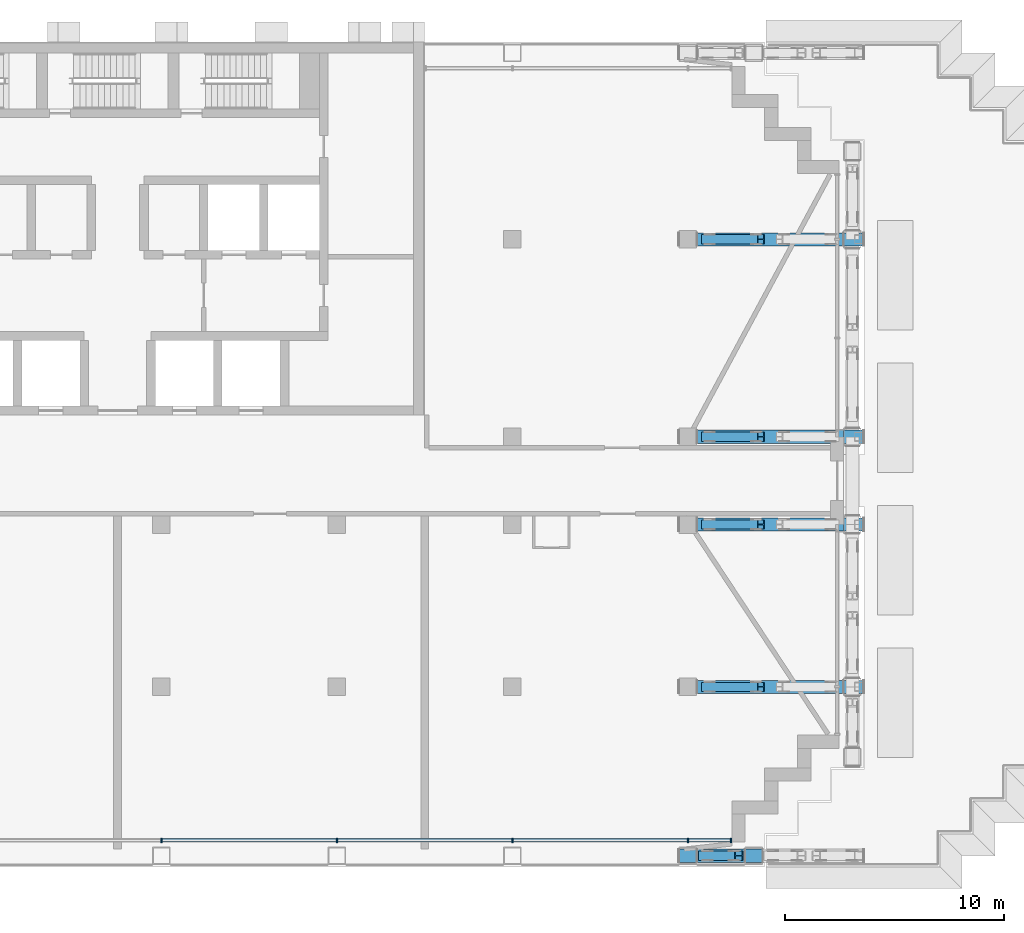
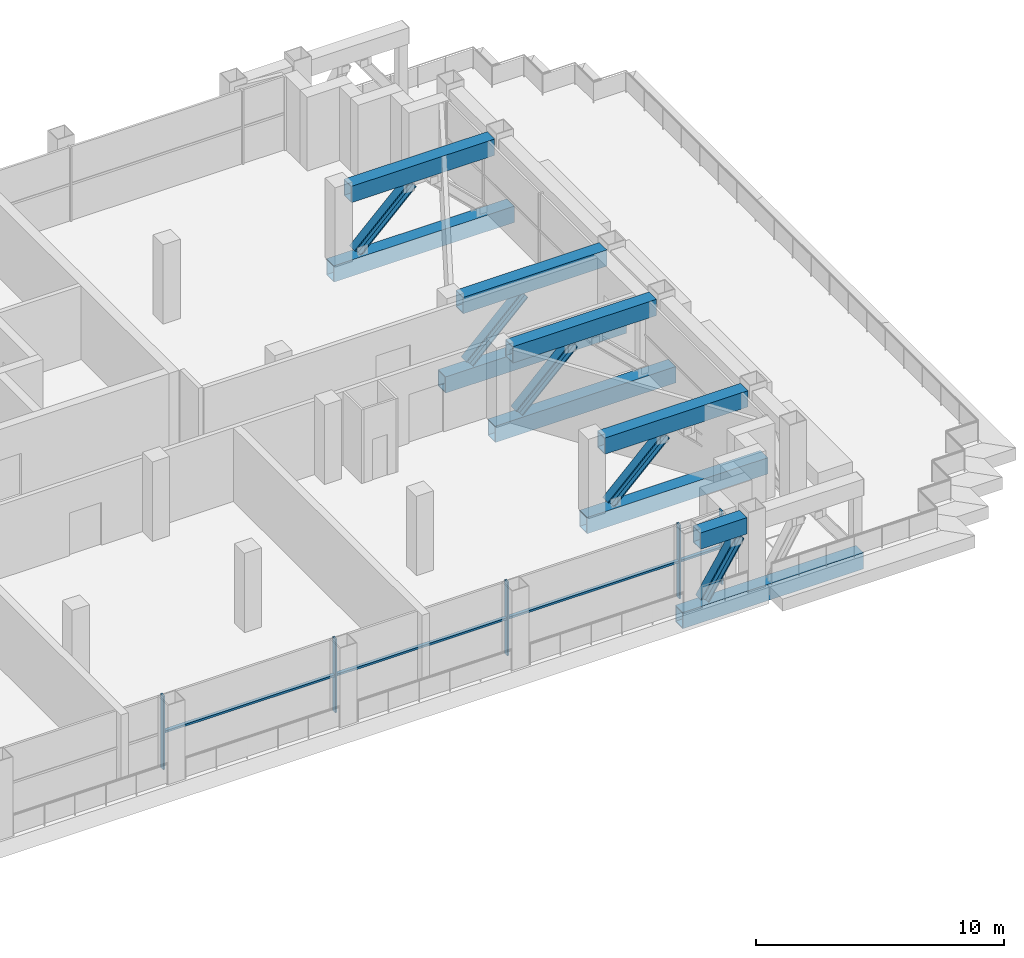
# One storey, part 4 of 25: 24 members, 1 element without a shape of its own.
"""IFC4 building model written with IfcOpenShell, lengths in metres."""

from ifc_helpers import new_model, si_unit, direction, frame, origin, origin_2d, place, context, subcontext, project, spatial, rectangle, hollow_rectangle, i_section, extrude, material, material_profile, profile_set, type_object, element, aggregate, save


model = new_model("IFC4")

# Units and contexts
model_context = context("Model", 3, precision=1e-05, world=origin(), true_north=direction((0.0, 1.0)))
body_context = subcontext(model_context, "Body", "Model", "MODEL_VIEW")
ifc_project = project(units=[si_unit("LENGTHUNIT", "METRE"), si_unit("AREAUNIT", "SQUARE_METRE"), si_unit("VOLUMEUNIT", "CUBIC_METRE"), si_unit("PLANEANGLEUNIT", "RADIAN"), si_unit("MASSUNIT", "GRAM", prefix="KILO")], contexts=[model_context])

# Site, building, storey
site_placement = place(None, origin())
site = spatial("IfcSite", under=ifc_project, at=site_placement, CompositionType="ELEMENT")
building_placement = place(site_placement, origin())
building = spatial("IfcBuilding", under=site, at=building_placement, Name="Vidyagriha Tower", CompositionType="ELEMENT")
storey_placement = place(building_placement, frame((0.0, 0.0, 115.89990234375)))
storey = spatial("IfcBuildingStorey", under=building, at=storey_placement, Name="L29", CompositionType="ELEMENT", Elevation=115.89990234375)

# Curtain wall, members
ifc_material_1 = material(Name="Aluminium and glass curtain wall", Category="aluminium")
curtain_wall_type = type_object("IfcCurtainWallType", Name="Plant louvre wall", PredefinedType="USERDEFINED", material=ifc_material_1)
curtain_wall_placement = place(storey_placement, origin())
curtain_wall = element("IfcCurtainWall", 1, at=curtain_wall_placement, inside=storey, type_object=curtain_wall_type, Name="CW7 plant louvre wall", ObjectType="STICK GLAZING", PredefinedType="USERDEFINED")
ifc_material_2 = material(Name="Aluminium black anodised", Category="aluminium")
ifc_material_profile_1 = material_profile(ifc_material_2, rectangle(XDim=0.219970703125, YDim=0.080078125, at=origin_2d()), Name="Mullion 80x220 black aluminium")
ifc_profile_set_1 = profile_set([ifc_material_profile_1], Name="Aluminium black anodised")
member_type_1 = type_object("IfcMemberType", Name="Mullion 80x220 black aluminium", PredefinedType="MULLION", material=ifc_profile_set_1)
member_1_placement = place(storey_placement, frame((2.0, -16.39990234375, 0.0), z_axis=(0.0, 0.0, 1.0), x_axis=(0.0, 1.0, 0.0)))
member_1 = element("IfcMember", 2, at=member_1_placement, type_object=member_type_1, Name="CW7 mullion 5", PredefinedType="MULLION", context=body_context, shape_type="SweptSolid", body=[
    extrude(rectangle(XDim=0.219970703125, YDim=0.080078125, at=origin_2d()), origin(), (0.0, 0.0, 1.0), 3.6201171875),
])
member_2_placement = place(storey_placement, frame((10.0, -16.39990234375, 0.0), z_axis=(0.0, 0.0, 1.0), x_axis=(0.0, 1.0, 0.0)))
member_2 = element("IfcMember", 3, at=member_2_placement, type_object=member_type_1, Name="CW7 mullion 6", PredefinedType="MULLION", context=body_context, shape_type="SweptSolid", body=[
    extrude(rectangle(XDim=0.219970703125, YDim=0.080078125, at=origin_2d()), origin(), (0.0, 0.0, 1.0), 3.6201171875),
])
member_3_placement = place(storey_placement, frame((18.0, -16.39990234375, 0.0), z_axis=(0.0, 0.0, 1.0), x_axis=(0.0, 1.0, 0.0)))
member_3 = element("IfcMember", 4, at=member_3_placement, type_object=member_type_1, Name="CW7 mullion 7", PredefinedType="MULLION", context=body_context, shape_type="SweptSolid", body=[
    extrude(rectangle(XDim=0.219970703125, YDim=0.080078125, at=origin_2d()), origin(), (0.0, 0.0, 1.0), 3.6201171875),
])
member_4_placement = place(storey_placement, frame((26.0, -16.39990234375, 0.0), z_axis=(0.0, 0.0, 1.0), x_axis=(0.0, 1.0, 0.0)))
member_4 = element("IfcMember", 5, at=member_4_placement, type_object=member_type_1, Name="CW7 mullion 8", PredefinedType="MULLION", context=body_context, shape_type="SweptSolid", body=[
    extrude(rectangle(XDim=0.219970703125, YDim=0.080078125, at=origin_2d()), origin(), (0.0, 0.0, 1.0), 3.6201171875),
])
member_5_placement = place(storey_placement, frame((27.9599609375, -16.39990234375, 0.0), z_axis=(0.0, 0.0, 1.0), x_axis=(0.0, 1.0, 0.0)))
member_5 = element("IfcMember", 6, at=member_5_placement, type_object=member_type_1, Name="CW7 mullion 9", PredefinedType="MULLION", context=body_context, shape_type="SweptSolid", body=[
    extrude(rectangle(XDim=0.219970703125, YDim=0.080078125, at=origin_2d()), origin(), (0.0, 0.0, 1.0), 3.6201171875),
])

# Members
ifc_material_3 = material(Name="Steel ASTM A572 Grade 50", Category="steel")
ifc_material_profile_2 = material_profile(ifc_material_3, hollow_rectangle(XDim=0.60009765625, YDim=0.800048828125, WallThickness=0.034912109375, at=origin_2d()), Name="BOX 800x600x35")
ifc_profile_set_2 = profile_set([ifc_material_profile_2], Name="Steel ASTM A572 Grade 50")
member_type_2 = type_object("IfcMemberType", Name="Transfer truss chord BOX 800x600x35", PredefinedType="CHORD", material=ifc_profile_set_2)
member_6_placement = place(storey_placement, frame((25.60009765625, -17.10009765625, -0.39990234375), z_axis=(1.0, 0.0, 0.0), x_axis=(0.0, 1.0, 0.0)))
element("IfcMember", 7, at=member_6_placement, inside=storey, type_object=member_type_2, Name="st-truss-L29-T00-B00", PredefinedType="CHORD", context=body_context, shape_type="SweptSolid", body=[
    extrude(hollow_rectangle(XDim=0.60009765625, YDim=0.800048828125, WallThickness=0.034912109375, at=origin_2d()), origin(), (0.0, 0.0, 1.0), 8.39990234375),
])
member_7_placement = place(storey_placement, frame((26.41943359375, -17.10009765625, 3.22021484375), z_axis=(1.0, 0.0, 0.0), x_axis=(0.0, 1.0, 0.0)))
element("IfcMember", 8, at=member_7_placement, inside=storey, type_object=member_type_2, Name="st-truss-L29-T00-T00", PredefinedType="CHORD", context=body_context, shape_type="SweptSolid", body=[
    extrude(hollow_rectangle(XDim=0.60009765625, YDim=0.800048828125, WallThickness=0.034912109375, at=origin_2d()), origin(), (0.0, 0.0, 1.0), 2.1611328125),
])
member_8_placement = place(storey_placement, frame((25.60009765625, -9.39990234375, -0.39990234375), z_axis=(1.0, 0.0, 0.0), x_axis=(0.0, 1.0, 0.0)))
element("IfcMember", 9, at=member_8_placement, inside=storey, type_object=member_type_2, Name="st-truss-L29-T02-B00", PredefinedType="CHORD", context=body_context, shape_type="SweptSolid", body=[
    extrude(hollow_rectangle(XDim=0.60009765625, YDim=0.800048828125, WallThickness=0.034912109375, at=origin_2d()), origin(), (0.0, 0.0, 1.0), 8.39990234375),
])
member_9_placement = place(storey_placement, frame((26.41943359375, -9.39990234375, 3.22021484375), z_axis=(1.0, 0.0, 0.0), x_axis=(0.0, 1.0, 0.0)))
element("IfcMember", 10, at=member_9_placement, inside=storey, type_object=member_type_2, Name="st-truss-L29-T02-T00", PredefinedType="CHORD", context=body_context, shape_type="SweptSolid", body=[
    extrude(hollow_rectangle(XDim=0.60009765625, YDim=0.800048828125, WallThickness=0.034912109375, at=origin_2d()), origin(), (0.0, 0.0, 1.0), 6.6611328125),
])
member_10_placement = place(storey_placement, frame((25.60009765625, -2.0, -0.39990234375), z_axis=(1.0, 0.0, 0.0), x_axis=(0.0, 1.0, 0.0)))
element("IfcMember", 11, at=member_10_placement, inside=storey, type_object=member_type_2, Name="st-truss-L29-T04-B00", PredefinedType="CHORD", context=body_context, shape_type="SweptSolid", body=[
    extrude(hollow_rectangle(XDim=0.60009765625, YDim=0.800048828125, WallThickness=0.034912109375, at=origin_2d()), origin(), (0.0, 0.0, 1.0), 8.39990234375),
])
member_11_placement = place(storey_placement, frame((26.41943359375, -2.0, 3.22021484375), z_axis=(1.0, 0.0, 0.0), x_axis=(0.0, 1.0, 0.0)))
element("IfcMember", 12, at=member_11_placement, inside=storey, type_object=member_type_2, Name="st-truss-L29-T04-T00", PredefinedType="CHORD", context=body_context, shape_type="SweptSolid", body=[
    extrude(hollow_rectangle(XDim=0.60009765625, YDim=0.800048828125, WallThickness=0.034912109375, at=origin_2d()), origin(), (0.0, 0.0, 1.0), 6.6806640625),
])
member_12_placement = place(storey_placement, frame((25.60009765625, 2.0, -0.39990234375), z_axis=(1.0, 0.0, 0.0), x_axis=(0.0, 1.0, 0.0)))
element("IfcMember", 13, at=member_12_placement, inside=storey, type_object=member_type_2, Name="st-truss-L29-T06-B00", PredefinedType="CHORD", context=body_context, shape_type="SweptSolid", body=[
    extrude(hollow_rectangle(XDim=0.60009765625, YDim=0.800048828125, WallThickness=0.034912109375, at=origin_2d()), origin(), (0.0, 0.0, 1.0), 8.39990234375),
])
member_13_placement = place(storey_placement, frame((26.41943359375, 2.0, 3.22021484375), z_axis=(1.0, 0.0, 0.0), x_axis=(0.0, 1.0, 0.0)))
element("IfcMember", 14, at=member_13_placement, inside=storey, type_object=member_type_2, Name="st-truss-L29-T06-T00", PredefinedType="CHORD", context=body_context, shape_type="SweptSolid", body=[
    extrude(hollow_rectangle(XDim=0.60009765625, YDim=0.800048828125, WallThickness=0.034912109375, at=origin_2d()), origin(), (0.0, 0.0, 1.0), 6.6806640625),
])
member_14_placement = place(storey_placement, frame((25.60009765625, 11.0, -0.39990234375), z_axis=(1.0, 0.0, 0.0), x_axis=(0.0, 1.0, 0.0)))
element("IfcMember", 15, at=member_14_placement, inside=storey, type_object=member_type_2, Name="st-truss-L29-T07-B00", PredefinedType="CHORD", context=body_context, shape_type="SweptSolid", body=[
    extrude(hollow_rectangle(XDim=0.60009765625, YDim=0.800048828125, WallThickness=0.034912109375, at=origin_2d()), origin(), (0.0, 0.0, 1.0), 8.39990234375),
])
member_15_placement = place(storey_placement, frame((26.41943359375, 11.0, 3.22021484375), z_axis=(1.0, 0.0, 0.0), x_axis=(0.0, 1.0, 0.0)))
element("IfcMember", 16, at=member_15_placement, inside=storey, type_object=member_type_2, Name="st-truss-L29-T07-T00", PredefinedType="CHORD", context=body_context, shape_type="SweptSolid", body=[
    extrude(hollow_rectangle(XDim=0.60009765625, YDim=0.800048828125, WallThickness=0.034912109375, at=origin_2d()), origin(), (0.0, 0.0, 1.0), 6.6611328125),
])
ifc_material_4 = material(Name="Steel ASTM A913 Grade 65", Category="steel")
ifc_material_profile_3 = material_profile(ifc_material_4, i_section(OverallWidth=0.421630859375, OverallDepth=0.46484375, WebThickness=0.030029296875, FlangeThickness=0.052978515625, at=origin_2d()), Name="W14X398")
ifc_profile_set_3 = profile_set([ifc_material_profile_3], Name="Steel ASTM A913 Grade 65")
member_type_3 = type_object("IfcMemberType", Name="Transfer truss diagonal W14X398", PredefinedType="BRACE", material=ifc_profile_set_3)
member_16_placement = place(storey_placement, frame((26.6796875, -17.10009765625, 0.125244140625), z_axis=(0.538108083029, 0.0, 0.84287584553), x_axis=(0.0, 1.0, 0.0)))
element("IfcMember", 17, at=member_16_placement, inside=storey, type_object=member_type_3, Name="st-truss-L29-T00-D000", PredefinedType="BRACE", context=body_context, shape_type="SweptSolid", body=[
    extrude(i_section(OverallWidth=0.421630859375, OverallDepth=0.46484375, WebThickness=0.030029296875, FlangeThickness=0.052978515625, at=origin_2d()), origin(), (0.0, 0.0, 1.0), 3.048828125),
])
for number, where, z_axis, x_axis, name in (
    (18, (26.771240234375, -9.39990234375, 0.166748046875), (0.716927451047, 0.0, 0.697147781992), (0.0, 1.0, 0.0), "st-truss-L29-T02-D000"),
    (19, (26.771240234375, -2.0, 0.166748046875), (0.716927451047, 0.0, 0.697147781992), (0.0, 1.0, 0.0), "st-truss-L29-T04-D000"),
    (20, (26.771240234375, 2.0, 0.166748046875), (0.716927451047, 0.0, 0.697147781992), (0.0, 1.0, 0.0), "st-truss-L29-T06-D000"),
    (21, (26.771240234375, 11.0, 0.166748046875), (0.716927451047, 0.0, 0.697147781992), (0.0, 1.0, 0.0), "st-truss-L29-T07-D000"),
):
    element("IfcMember", number, at=place(storey_placement, frame(where, z_axis=z_axis, x_axis=x_axis)), inside=storey, type_object=member_type_3, Name=name, PredefinedType="BRACE", context=body_context, shape_type="SweptSolid", body=[
        extrude(i_section(OverallWidth=0.421630859375, OverallDepth=0.46484375, WebThickness=0.030029296875, FlangeThickness=0.052978515625, at=origin_2d()), origin(), (0.0, 0.0, 1.0), 3.567138671875),
    ])

# Member
ifc_material_5 = material(Name="Aluminium black anodised", Category="aluminium")
ifc_material_profile_4 = material_profile(ifc_material_5, rectangle(XDim=0.159912109375, YDim=0.10009765625, at=origin_2d()), Name="Transom 100x160 black aluminium")
ifc_profile_set_4 = profile_set([ifc_material_profile_4], Name="Aluminium black anodised")
member_type_4 = type_object("IfcMemberType", Name="Transom 100x160 black aluminium", PredefinedType="USERDEFINED", material=ifc_profile_set_4)
member_17_placement = place(storey_placement, frame((2.0400390625, -16.39990234375, 1.81005859375), z_axis=(1.0, 0.0, 0.0), x_axis=(0.0, 1.0, 0.0)))
member_17 = element("IfcMember", 22, at=member_17_placement, type_object=member_type_4, Name="CW7 transom 5.1", ObjectType="TRANSOM", PredefinedType="USERDEFINED", context=body_context, shape_type="SweptSolid", body=[
    extrude(rectangle(XDim=0.159912109375, YDim=0.10009765625, at=origin_2d()), origin(), (0.0, 0.0, 1.0), 7.919921875),
])

member_18_placement = place(storey_placement, frame((10.0400390625, -16.39990234375, 1.81005859375), z_axis=(1.0, 0.0, 0.0), x_axis=(0.0, 1.0, 0.0)))
member_18 = element("IfcMember", 23, at=member_18_placement, type_object=member_type_4, Name="CW7 transom 6.1", ObjectType="TRANSOM", PredefinedType="USERDEFINED", context=body_context, shape_type="SweptSolid", body=[
    extrude(rectangle(XDim=0.159912109375, YDim=0.10009765625, at=origin_2d()), origin(), (0.0, 0.0, 1.0), 7.919921875),
])

member_19_placement = place(storey_placement, frame((18.0400390625, -16.39990234375, 1.81005859375), z_axis=(1.0, 0.0, 0.0), x_axis=(0.0, 1.0, 0.0)))
member_19 = element("IfcMember", 24, at=member_19_placement, type_object=member_type_4, Name="CW7 transom 7.1", ObjectType="TRANSOM", PredefinedType="USERDEFINED", context=body_context, shape_type="SweptSolid", body=[
    extrude(rectangle(XDim=0.159912109375, YDim=0.10009765625, at=origin_2d()), origin(), (0.0, 0.0, 1.0), 7.919921875),
])

member_20_placement = place(storey_placement, frame((26.0400390625, -16.39990234375, 1.81005859375), z_axis=(1.0, 0.0, 0.0), x_axis=(0.0, 1.0, 0.0)))
member_20 = element("IfcMember", 25, at=member_20_placement, type_object=member_type_4, Name="CW7 transom 8.1", ObjectType="TRANSOM", PredefinedType="USERDEFINED", context=body_context, shape_type="SweptSolid", body=[
    extrude(rectangle(XDim=0.159912109375, YDim=0.10009765625, at=origin_2d()), origin(), (0.0, 0.0, 1.0), 1.8798828125),
])

aggregate(curtain_wall, [member_1, member_2, member_3, member_4, member_5, member_17, member_18, member_19, member_20])

save(model, "model.ifc")
